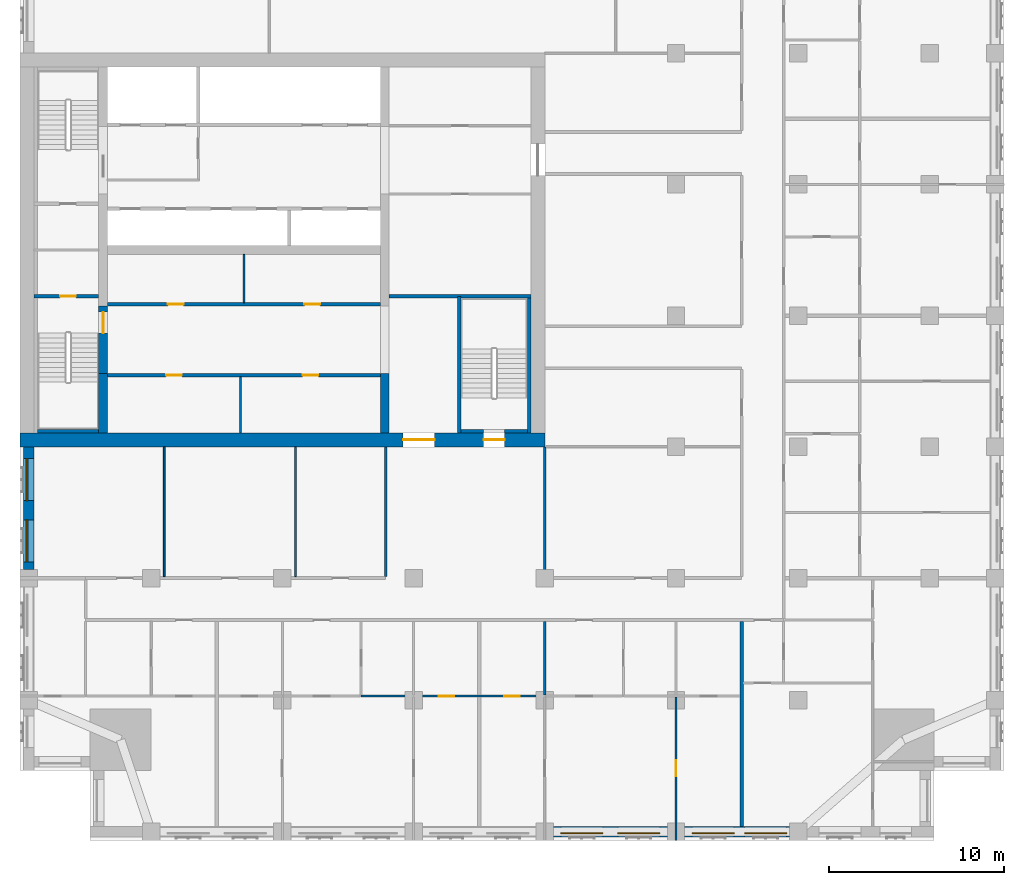
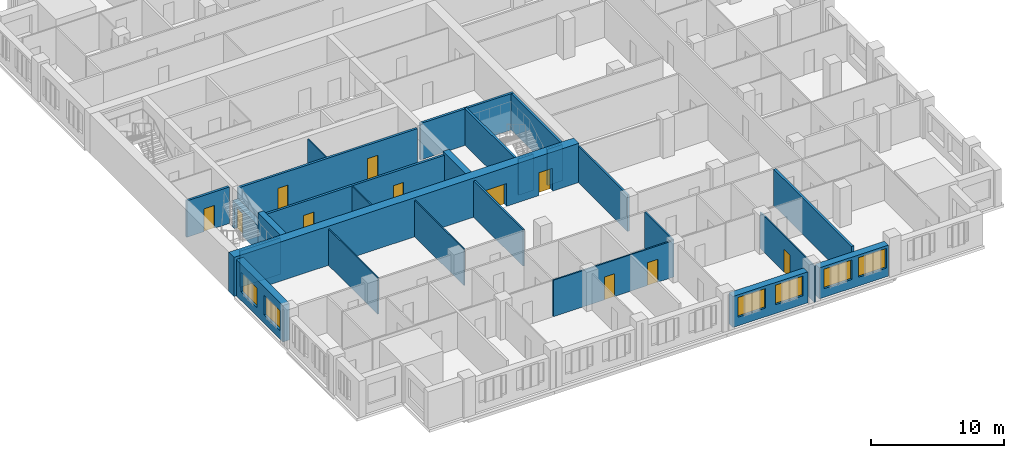
# One storey, part 5 of 13: 26 walls, 11 doors, 6 windows, 17 openings.
"""IFC4 building model written with IfcOpenShell, lengths in metres."""

from ifc_helpers import new_model, si_unit, direction, frame, frame_2d, origin, place, context, subcontext, project, spatial, rectangle, extrude, material, layer, layer_set, type_object, element, fill, save


model = new_model("IFC4")

# Units and contexts
model_context = context("Model", 3, precision=1e-05, world=origin(), true_north=direction((0.0, 1.0)))
body_context = subcontext(model_context, "Body", "Model", "MODEL_VIEW")
ifc_project = project(units=[si_unit("LENGTHUNIT", "METRE"), si_unit("AREAUNIT", "SQUARE_METRE"), si_unit("VOLUMEUNIT", "CUBIC_METRE"), si_unit("PLANEANGLEUNIT", "RADIAN"), si_unit("MASSUNIT", "GRAM", prefix="KILO")], contexts=[model_context])

# Site, building, storey
site_placement = place(None, origin())
site = spatial("IfcSite", under=ifc_project, at=site_placement, CompositionType="ELEMENT")
building_placement = place(site_placement, origin())
building = spatial("IfcBuilding", under=site, at=building_placement, Name="Tamorin Gate", CompositionType="ELEMENT")
storey_placement = place(building_placement, frame((0.0, 0.0, 130.199951171875)))
storey = spatial("IfcBuildingStorey", under=building, at=storey_placement, Name="L31", CompositionType="ELEMENT", Elevation=130.199951171875)

# Wall, openings, windows
ifc_material_1 = material(Name="Precast concrete C40/50", Category="concrete")
ifc_layer_1 = layer(ifc_material_1, 0.60009765625)
ifc_layer_set_1 = layer_set([ifc_layer_1], Name="Precast concrete C40/50")
wall_type_1 = type_object("IfcWallType", Name="Board-marked concrete facade panel 600", PredefinedType="SOLIDWALL", material=ifc_layer_set_1)
wall_1_placement = place(storey_placement, frame((60.5, 38.0, 0.0), z_axis=(0.0, 0.0, 1.0), x_axis=(1.0, 0.0, 0.0)))
wall_1 = element("IfcWall", 1, at=wall_1_placement, inside=storey, type_object=wall_type_1, Name="Facade panel", PredefinedType="SOLIDWALL", context=body_context, shape_type="SweptSolid", body=[
    extrude(rectangle(XDim=6.5, YDim=0.60009765625, at=frame_2d((3.25, 0.0))), origin(), (0.0, 0.0, 1.0), 2.85009765625),
])
opening_1_placement = place(wall_1_placement, frame((0.425048828125, 0.0, 0.800048828125)))
opening_1 = element("IfcOpeningElement", 2, at=opening_1_placement, cuts=wall_1, Name="Opening WN1", PredefinedType="OPENING", context=body_context, shape_type="SweptSolid", body=[
    extrude(rectangle(XDim=2.39990234375, YDim=1.800048828125, at=frame_2d((1.199951171875, 0.89990234375))), frame((0.0, 0.31005859375, 0.0), z_axis=(0.0, -1.0, 0.0), x_axis=(1.0, 0.0, 0.0)), (0.0, 0.0, 1.0), 0.6201171875),
])
opening_2_placement = place(wall_1_placement, frame((3.675048828125, 0.0, 0.800048828125)))
opening_2 = element("IfcOpeningElement", 3, at=opening_2_placement, cuts=wall_1, Name="Opening WN1", PredefinedType="OPENING", context=body_context, shape_type="SweptSolid", body=[
    extrude(rectangle(XDim=2.39990234375, YDim=1.800048828125, at=frame_2d((1.199951171875, 0.89990234375))), frame((0.0, 0.31005859375, 0.0), z_axis=(0.0, -1.0, 0.0), x_axis=(1.0, 0.0, 0.0)), (0.0, 0.0, 1.0), 0.6201171875),
])
ifc_material_2 = material(Name="Clear glass in aluminium frame", Category="aluminium")
window_type = type_object("IfcWindowType", Name="Deep-set window 2400x1800", PartitioningType="SINGLE_PANEL", PredefinedType="WINDOW", material=ifc_material_2)
window_1_placement = place(opening_1_placement, origin())
window_1 = element("IfcWindow", 4, at=window_1_placement, inside=storey, type_object=window_type, Name="Deep-set window", OverallHeight=1.800048828125, OverallWidth=2.39990234375, PartitioningType="SINGLE_PANEL", PredefinedType="WINDOW", context=body_context, shape_type="SweptSolid", body=[
    extrude(rectangle(XDim=2.39990234375, YDim=1.800048828125, at=frame_2d((1.199951171875, 0.89990234375))), frame((0.0, -0.070068359375, 0.0), z_axis=(0.0, -1.0, 0.0), x_axis=(1.0, 0.0, 0.0)), (0.0, 0.0, 1.0), 0.06005859375),
])
fill(opening_1, window_1)
window_2_placement = place(opening_2_placement, origin())
window_2 = element("IfcWindow", 5, at=window_2_placement, inside=storey, type_object=window_type, Name="Deep-set window", OverallHeight=1.800048828125, OverallWidth=2.39990234375, PartitioningType="SINGLE_PANEL", PredefinedType="WINDOW", context=body_context, shape_type="SweptSolid", body=[
    extrude(rectangle(XDim=2.39990234375, YDim=1.800048828125, at=frame_2d((1.199951171875, 0.89990234375))), frame((0.0, -0.070068359375, 0.0), z_axis=(0.0, -1.0, 0.0), x_axis=(1.0, 0.0, 0.0)), (0.0, 0.0, 1.0), 0.06005859375),
])
fill(opening_2, window_2)

wall_2_placement = place(storey_placement, frame((68.0, 38.0, 0.0), z_axis=(0.0, 0.0, 1.0), x_axis=(1.0, 0.0, 0.0)))
wall_2 = element("IfcWall", 6, at=wall_2_placement, inside=storey, type_object=wall_type_1, Name="Facade panel", PredefinedType="SOLIDWALL", context=body_context, shape_type="SweptSolid", body=[
    extrude(rectangle(XDim=6.0, YDim=0.60009765625, at=frame_2d((3.0, 0.0))), origin(), (0.0, 0.0, 1.0), 2.85009765625),
])
opening_3_placement = place(wall_2_placement, frame((0.425048828125, 0.0, 0.800048828125)))
opening_3 = element("IfcOpeningElement", 7, at=opening_3_placement, cuts=wall_2, Name="Opening WN1", PredefinedType="OPENING", context=body_context, shape_type="SweptSolid", body=[
    extrude(rectangle(XDim=2.39990234375, YDim=1.800048828125, at=frame_2d((1.199951171875, 0.89990234375))), frame((0.0, 0.31005859375, 0.0), z_axis=(0.0, -1.0, 0.0), x_axis=(1.0, 0.0, 0.0)), (0.0, 0.0, 1.0), 0.6201171875),
])
opening_4_placement = place(wall_2_placement, frame((3.425048828125, 0.0, 0.800048828125)))
opening_4 = element("IfcOpeningElement", 8, at=opening_4_placement, cuts=wall_2, Name="Opening WN1", PredefinedType="OPENING", context=body_context, shape_type="SweptSolid", body=[
    extrude(rectangle(XDim=2.39990234375, YDim=1.800048828125, at=frame_2d((1.199951171875, 0.89990234375))), frame((0.0, 0.31005859375, 0.0), z_axis=(0.0, -1.0, 0.0), x_axis=(1.0, 0.0, 0.0)), (0.0, 0.0, 1.0), 0.6201171875),
])
window_3_placement = place(opening_3_placement, origin())
window_3 = element("IfcWindow", 9, at=window_3_placement, inside=storey, type_object=window_type, Name="Deep-set window", OverallHeight=1.800048828125, OverallWidth=2.39990234375, PartitioningType="SINGLE_PANEL", PredefinedType="WINDOW", context=body_context, shape_type="SweptSolid", body=[
    extrude(rectangle(XDim=2.39990234375, YDim=1.800048828125, at=frame_2d((1.199951171875, 0.89990234375))), frame((0.0, -0.070068359375, 0.0), z_axis=(0.0, -1.0, 0.0), x_axis=(1.0, 0.0, 0.0)), (0.0, 0.0, 1.0), 0.06005859375),
])
fill(opening_3, window_3)
window_4_placement = place(opening_4_placement, origin())
window_4 = element("IfcWindow", 10, at=window_4_placement, inside=storey, type_object=window_type, Name="Deep-set window", OverallHeight=1.800048828125, OverallWidth=2.39990234375, PartitioningType="SINGLE_PANEL", PredefinedType="WINDOW", context=body_context, shape_type="SweptSolid", body=[
    extrude(rectangle(XDim=2.39990234375, YDim=1.800048828125, at=frame_2d((1.199951171875, 0.89990234375))), frame((0.0, -0.070068359375, 0.0), z_axis=(0.0, -1.0, 0.0), x_axis=(1.0, 0.0, 0.0)), (0.0, 0.0, 1.0), 0.06005859375),
])
fill(opening_4, window_4)

wall_3_placement = place(storey_placement, frame((30.5, 60.0, 0.0), z_axis=(0.0, 0.0, 1.0), x_axis=(0.0, -1.0, 0.0)))
wall_3 = element("IfcWall", 11, at=wall_3_placement, inside=storey, type_object=wall_type_1, Name="Facade panel", PredefinedType="SOLIDWALL", context=body_context, shape_type="SweptSolid", body=[
    extrude(rectangle(XDim=7.0, YDim=0.60009765625, at=frame_2d((3.5, 0.0))), origin(), (0.0, 0.0, 1.0), 3.35009765625),
])
opening_5_placement = place(wall_3_placement, frame((4.175048828125, 0.0, 0.800048828125)))
opening_5 = element("IfcOpeningElement", 12, at=opening_5_placement, cuts=wall_3, Name="Opening WN1", PredefinedType="OPENING", context=body_context, shape_type="SweptSolid", body=[
    extrude(rectangle(XDim=2.39990234375, YDim=1.800048828125, at=frame_2d((1.199951171875, 0.89990234375))), frame((0.0, 0.31005859375, 0.0), z_axis=(0.0, -1.0, 0.0), x_axis=(1.0, 0.0, 0.0)), (0.0, 0.0, 1.0), 0.6201171875),
])
opening_6_placement = place(wall_3_placement, frame((0.675048828125, 0.0, 0.800048828125)))
opening_6 = element("IfcOpeningElement", 13, at=opening_6_placement, cuts=wall_3, Name="Opening WN1", PredefinedType="OPENING", context=body_context, shape_type="SweptSolid", body=[
    extrude(rectangle(XDim=2.39990234375, YDim=1.800048828125, at=frame_2d((1.199951171875, 0.89990234375))), frame((0.0, 0.31005859375, 0.0), z_axis=(0.0, -1.0, 0.0), x_axis=(1.0, 0.0, 0.0)), (0.0, 0.0, 1.0), 0.6201171875),
])
window_5_placement = place(opening_5_placement, origin())
window_5 = element("IfcWindow", 14, at=window_5_placement, inside=storey, type_object=window_type, Name="Deep-set window", OverallHeight=1.800048828125, OverallWidth=2.39990234375, PartitioningType="SINGLE_PANEL", PredefinedType="WINDOW", context=body_context, shape_type="SweptSolid", body=[
    extrude(rectangle(XDim=2.39990234375, YDim=1.800048828125, at=frame_2d((1.199951171875, 0.89990234375))), frame((0.0, -0.070068359375, 0.0), z_axis=(0.0, -1.0, 0.0), x_axis=(1.0, 0.0, 0.0)), (0.0, 0.0, 1.0), 0.06005859375),
])
fill(opening_5, window_5)
window_6_placement = place(opening_6_placement, origin())
window_6 = element("IfcWindow", 15, at=window_6_placement, inside=storey, type_object=window_type, Name="Deep-set window", OverallHeight=1.800048828125, OverallWidth=2.39990234375, PartitioningType="SINGLE_PANEL", PredefinedType="WINDOW", context=body_context, shape_type="SweptSolid", body=[
    extrude(rectangle(XDim=2.39990234375, YDim=1.800048828125, at=frame_2d((1.199951171875, 0.89990234375))), frame((0.0, -0.070068359375, 0.0), z_axis=(0.0, -1.0, 0.0), x_axis=(1.0, 0.0, 0.0)), (0.0, 0.0, 1.0), 0.06005859375),
])
fill(opening_6, window_6)

# Walls
ifc_material_3 = material(Name="Gypsum board partition")
ifc_layer_2 = layer(ifc_material_3, 0.199951171875)
ifc_layer_set_2 = layer_set([ifc_layer_2], Name="Demising wall 200")
wall_type_2 = type_object("IfcWallType", Name="Demising wall 200", PredefinedType="PARTITIONING", material=ifc_layer_set_2)
wall_4_placement = place(storey_placement, frame((71.25, 38.31005859375, 0.0), z_axis=(0.0, 0.0, 1.0), x_axis=(0.0, 1.0, 0.0)))
element("IfcWall", 16, at=wall_4_placement, inside=storey, type_object=wall_type_2, Name="Demising wall 200", PredefinedType="PARTITIONING", context=body_context, shape_type="SweptSolid", body=[
    extrude(rectangle(XDim=11.71484375, YDim=0.199951171875, at=frame_2d((5.857421875, 0.0))), origin(), (0.0, 0.0, 1.0), 3.35009765625),
])
ifc_layer_3 = layer(ifc_material_3, 0.14990234375)
ifc_layer_set_3 = layer_set([ifc_layer_3], Name="Lobby wall 150")
wall_type_3 = type_object("IfcWallType", Name="Lobby wall 150", PredefinedType="PARTITIONING", material=ifc_layer_set_3)
for number, where, z_axis, x_axis, name in (
    (17, (50.89990234375, 52.574951171875, 0.0), (0.0, 0.0, 1.0), (0.0, 1.0, 0.0), "Lobby wall 150"),
    (18, (60.0, 52.574951171875, 0.0), (0.0, 0.0, 1.0), (0.0, 1.0, 0.0), "Lobby wall 150"),
):
    element("IfcWall", number, at=place(storey_placement, frame(where, z_axis=z_axis, x_axis=x_axis)), inside=storey, type_object=wall_type_3, Name=name, PredefinedType="PARTITIONING", context=body_context, shape_type="SweptSolid", body=[
        extrude(rectangle(XDim=7.425048828125, YDim=0.14990234375, at=frame_2d((3.71240234375, 0.0))), origin(), (0.0, 0.0, 1.0), 3.35009765625),
    ])
ifc_material_4 = material(Name="Concrete C60/75", Category="concrete")
ifc_layer_4 = layer(ifc_material_4, 0.5)
ifc_layer_set_4 = layer_set([ifc_layer_4], Name="RC core internal wall 500 C60/75")
wall_type_4 = type_object("IfcWallType", Name="RC core internal wall 500 C60/75", PredefinedType="SHEAR", material=ifc_layer_set_4)
for number, where, z_axis, x_axis, name in (
    (19, (34.75, 60.800048828125, 0.0), (0.0, 0.0, 1.0), (0.0, 1.0, 0.0), "Core cross wall L31"),
    (20, (50.85009765625, 60.800048828125, 0.0), (0.0, 0.0, 1.0), (0.0, 1.0, 0.0), "Core cross wall L31"),
):
    element("IfcWall", number, at=place(storey_placement, frame(where, z_axis=z_axis, x_axis=x_axis)), inside=storey, type_object=wall_type_4, Name=name, PredefinedType="SHEAR", context=body_context, shape_type="SweptSolid", body=[
        extrude(rectangle(XDim=3.39990234375, YDim=0.5, at=frame_2d((1.699951171875, 0.0))), origin(), (0.0, 0.0, 1.0), 3.60009765625),
    ])

# Wall, openings, doors
ifc_layer_5 = layer(ifc_material_4, 0.800048828125)
ifc_layer_set_5 = layer_set([ifc_layer_5], Name="RC core wall 800 C60/75")
wall_type_5 = type_object("IfcWallType", Name="RC core wall 800 C60/75", PredefinedType="SHEAR", material=ifc_layer_set_5)
wall_5_placement = place(storey_placement, frame((30.0, 60.39990234375, 0.0), z_axis=(0.0, 0.0, 1.0), x_axis=(1.0, 0.0, 0.0)))
wall_5 = element("IfcWall", 21, at=wall_5_placement, inside=storey, type_object=wall_type_5, Name="Core wall L31", PredefinedType="SHEAR", context=body_context, shape_type="SweptSolid", body=[
    extrude(rectangle(XDim=30.0, YDim=0.800048828125, at=frame_2d((15.0, 0.0))), origin(), (0.0, 0.0, 1.0), 3.60009765625),
])
opening_7_placement = place(wall_5_placement, frame((21.89990234375, 0.0, 0.0)))
opening_7 = element("IfcOpeningElement", 22, at=opening_7_placement, cuts=wall_5, Name="Opening DE1", PredefinedType="OPENING", context=body_context, shape_type="SweptSolid", body=[
    extrude(rectangle(XDim=1.800048828125, YDim=2.10009765625, at=frame_2d((0.89990234375, 1.050048828125))), frame((0.0, 0.409912109375, 0.0), z_axis=(0.0, -1.0, 0.0), x_axis=(1.0, 0.0, 0.0)), (0.0, 0.0, 1.0), 0.820068359375),
])
opening_8_placement = place(wall_5_placement, frame((26.5, 0.0, 0.0)))
opening_8 = element("IfcOpeningElement", 23, at=opening_8_placement, cuts=wall_5, Name="Opening DS1", PredefinedType="OPENING", context=body_context, shape_type="SweptSolid", body=[
    extrude(rectangle(XDim=1.199951171875, YDim=2.10009765625, at=frame_2d((0.60009765625, 1.050048828125))), frame((0.0, 0.409912109375, 0.0), z_axis=(0.0, -1.0, 0.0), x_axis=(1.0, 0.0, 0.0)), (0.0, 0.0, 1.0), 0.820068359375),
])
ifc_material_5 = material(Name="Steel fire door", Category="steel")
door_type_1 = type_object("IfcDoorType", Name="Lobby exit double door 1800 x 2100 EI 60", OperationType="DOUBLE_DOOR_SINGLE_SWING", PredefinedType="DOOR", material=ifc_material_5)
door_1_placement = place(opening_7_placement, origin())
door_1 = element("IfcDoor", 24, at=door_1_placement, inside=storey, type_object=door_type_1, Name="Lift lobby A exit door", OperationType="DOUBLE_DOOR_SINGLE_SWING", OverallHeight=2.10009765625, OverallWidth=1.800048828125, PredefinedType="DOOR", context=body_context, shape_type="SweptSolid", body=[
    extrude(rectangle(XDim=1.800048828125, YDim=2.10009765625, at=frame_2d((0.89990234375, 1.050048828125))), frame((0.0, 0.02490234375, 0.0), z_axis=(0.0, -1.0, 0.0), x_axis=(1.0, 0.0, 0.0)), (0.0, 0.0, 1.0), 0.050048828125),
])
fill(opening_7, door_1)
door_type_2 = type_object("IfcDoorType", Name="Stair door 1200 x 2100 EI 90", OperationType="SINGLE_SWING_LEFT", PredefinedType="DOOR", material=ifc_material_5)
door_2_placement = place(opening_8_placement, origin())
door_2 = element("IfcDoor", 25, at=door_2_placement, inside=storey, type_object=door_type_2, Name="ST3 door", OperationType="SINGLE_SWING_LEFT", OverallHeight=2.10009765625, OverallWidth=1.199951171875, PredefinedType="DOOR", context=body_context, shape_type="SweptSolid", body=[
    extrude(rectangle(XDim=1.199951171875, YDim=2.10009765625, at=frame_2d((0.60009765625, 1.050048828125))), frame((0.0, 0.02490234375, 0.0), z_axis=(0.0, -1.0, 0.0), x_axis=(1.0, 0.0, 0.0)), (0.0, 0.0, 1.0), 0.050048828125),
])
fill(opening_8, door_2)

# Walls
ifc_layer_6 = layer(ifc_material_3, 0.10009765625)
ifc_layer_set_6 = layer_set([ifc_layer_6], Name="Room partition 100")
wall_type_6 = type_object("IfcWallType", Name="Room partition 100", PredefinedType="PARTITIONING", material=ifc_layer_set_6)
for number, where, z_axis, x_axis, name in (
    (26, (38.25, 52.574951171875, 0.0), (0.0, 0.0, 1.0), (0.0, 1.0, 0.0), "Room partition 100"),
    (27, (45.75, 52.574951171875, 0.0), (0.0, 0.0, 1.0), (0.0, 1.0, 0.0), "Room partition 100"),
):
    element("IfcWall", number, at=place(storey_placement, frame(where, z_axis=z_axis, x_axis=x_axis)), inside=storey, type_object=wall_type_6, Name=name, PredefinedType="PARTITIONING", context=body_context, shape_type="SweptSolid", body=[
        extrude(rectangle(XDim=7.425048828125, YDim=0.10009765625, at=frame_2d((3.71240234375, 0.0))), origin(), (0.0, 0.0, 1.0), 3.35009765625),
    ])

# Wall, opening, door
wall_6_placement = place(storey_placement, frame((67.5, 37.5, 0.0), z_axis=(0.0, 0.0, 1.0), x_axis=(0.0, 1.0, 0.0)))
wall_6 = element("IfcWall", 28, at=wall_6_placement, inside=storey, type_object=wall_type_6, Name="Room partition 100", PredefinedType="PARTITIONING", context=body_context, shape_type="SweptSolid", body=[
    extrude(rectangle(XDim=8.1875, YDim=0.10009765625, at=frame_2d((4.09375, 0.0))), origin(), (0.0, 0.0, 1.0), 3.35009765625),
])
opening_9_placement = place(wall_6_placement, frame((3.675048828125, 0.0, 0.0)))
opening_9 = element("IfcOpeningElement", 29, at=opening_9_placement, cuts=wall_6, Name="Opening DS1018", PredefinedType="OPENING", context=body_context, shape_type="SweptSolid", body=[
    extrude(rectangle(XDim=0.89990234375, YDim=2.10009765625, at=frame_2d((0.449951171875, 1.050048828125))), frame((0.0, 0.06005859375, 0.0), z_axis=(0.0, -1.0, 0.0), x_axis=(1.0, 0.0, 0.0)), (0.0, 0.0, 1.0), 0.1201171875),
])
ifc_material_6 = material(Name="Timber door leaf", Category="wood")
door_type_3 = type_object("IfcDoorType", Name="Door 900 x 2100", OperationType="NOTDEFINED", PredefinedType="DOOR", material=ifc_material_6)
door_3_placement = place(opening_9_placement, origin())
door_3 = element("IfcDoor", 30, at=door_3_placement, inside=storey, type_object=door_type_3, Name="Door DS1018", OperationType="SINGLE_SWING_LEFT", OverallHeight=2.10009765625, OverallWidth=0.89990234375, PredefinedType="DOOR", context=body_context, shape_type="SweptSolid", body=[
    extrude(rectangle(XDim=0.89990234375, YDim=2.10009765625, at=frame_2d((0.449951171875, 1.050048828125))), frame((0.0, 0.02490234375, 0.0), z_axis=(0.0, -1.0, 0.0), x_axis=(1.0, 0.0, 0.0)), (0.0, 0.0, 1.0), 0.050048828125),
])
fill(opening_9, door_3)

# Wall, openings, doors
ifc_layer_7 = layer(ifc_material_3, 0.199951171875)
ifc_layer_set_7 = layer_set([ifc_layer_7], Name="Service room face wall 200 EI 60")
wall_type_7 = type_object("IfcWallType", Name="Service room face wall 200 EI 60", PredefinedType="PARTITIONING", material=ifc_layer_set_7)
wall_7_placement = place(storey_placement, frame((35.0, 64.10009765625, 0.0), z_axis=(0.0, 0.0, 1.0), x_axis=(1.0, 0.0, 0.0)))
wall_7 = element("IfcWall", 31, at=wall_7_placement, inside=storey, type_object=wall_type_7, Name="Service room face wall", PredefinedType="PARTITIONING", context=body_context, shape_type="SweptSolid", body=[
    extrude(rectangle(XDim=15.60009765625, YDim=0.199951171875, at=frame_2d((7.800048828125, 0.0))), origin(), (0.0, 0.0, 1.0), 3.35009765625),
])
opening_10_placement = place(wall_7_placement, frame((3.35009765625, 0.0, 0.0)))
opening_10 = element("IfcOpeningElement", 32, at=opening_10_placement, cuts=wall_7, Name="Opening DK1", PredefinedType="OPENING", context=body_context, shape_type="SweptSolid", body=[
    extrude(rectangle(XDim=0.89990234375, YDim=2.10009765625, at=frame_2d((0.449951171875, 1.050048828125))), frame((0.0, 0.10986328125, 0.0), z_axis=(0.0, -1.0, 0.0), x_axis=(1.0, 0.0, 0.0)), (0.0, 0.0, 1.0), 0.219970703125),
])
opening_11_placement = place(wall_7_placement, frame((11.14990234375, 0.0, 0.0)))
opening_11 = element("IfcOpeningElement", 33, at=opening_11_placement, cuts=wall_7, Name="Opening DK1", PredefinedType="OPENING", context=body_context, shape_type="SweptSolid", body=[
    extrude(rectangle(XDim=0.89990234375, YDim=2.10009765625, at=frame_2d((0.449951171875, 1.050048828125))), frame((0.0, 0.10986328125, 0.0), z_axis=(0.0, -1.0, 0.0), x_axis=(1.0, 0.0, 0.0)), (0.0, 0.0, 1.0), 0.219970703125),
])
ifc_material_7 = material(Name="Timber fire door", Category="wood")
door_type_4 = type_object("IfcDoorType", Name="Service room door 900 x 2100 EI 60", OperationType="SINGLE_SWING_LEFT", PredefinedType="DOOR", material=ifc_material_7)
door_4_placement = place(opening_10_placement, origin())
door_4 = element("IfcDoor", 34, at=door_4_placement, inside=storey, type_object=door_type_4, Name="Door Pantry", OperationType="SINGLE_SWING_LEFT", OverallHeight=2.10009765625, OverallWidth=0.89990234375, PredefinedType="DOOR", context=body_context, shape_type="SweptSolid", body=[
    extrude(rectangle(XDim=0.89990234375, YDim=2.10009765625, at=frame_2d((0.449951171875, 1.050048828125))), frame((0.0, 0.02490234375, 0.0), z_axis=(0.0, -1.0, 0.0), x_axis=(1.0, 0.0, 0.0)), (0.0, 0.0, 1.0), 0.050048828125),
])
fill(opening_10, door_4)
door_5_placement = place(opening_11_placement, origin())
door_5 = element("IfcDoor", 35, at=door_5_placement, inside=storey, type_object=door_type_4, Name="Door Linen store", OperationType="SINGLE_SWING_RIGHT", OverallHeight=2.10009765625, OverallWidth=0.89990234375, PredefinedType="DOOR", context=body_context, shape_type="SweptSolid", body=[
    extrude(rectangle(XDim=0.89990234375, YDim=2.10009765625, at=frame_2d((0.449951171875, 1.050048828125))), frame((0.0, 0.02490234375, 0.0), z_axis=(0.0, -1.0, 0.0), x_axis=(1.0, 0.0, 0.0)), (0.0, 0.0, 1.0), 0.050048828125),
])
fill(opening_11, door_5)

wall_8_placement = place(storey_placement, frame((35.0, 68.14990234375, 0.0), z_axis=(0.0, 0.0, 1.0), x_axis=(1.0, 0.0, 0.0)))
wall_8 = element("IfcWall", 36, at=wall_8_placement, inside=storey, type_object=wall_type_7, Name="Service room face wall", PredefinedType="PARTITIONING", context=body_context, shape_type="SweptSolid", body=[
    extrude(rectangle(XDim=15.60009765625, YDim=0.199951171875, at=frame_2d((7.800048828125, 0.0))), origin(), (0.0, 0.0, 1.0), 3.35009765625),
])
opening_12_placement = place(wall_8_placement, frame((3.449951171875, 0.0, 0.0)))
opening_12 = element("IfcOpeningElement", 37, at=opening_12_placement, cuts=wall_8, Name="Opening DK1", PredefinedType="OPENING", context=body_context, shape_type="SweptSolid", body=[
    extrude(rectangle(XDim=0.89990234375, YDim=2.10009765625, at=frame_2d((0.449951171875, 1.050048828125))), frame((0.0, 0.10986328125, 0.0), z_axis=(0.0, -1.0, 0.0), x_axis=(1.0, 0.0, 0.0)), (0.0, 0.0, 1.0), 0.219970703125),
])
opening_13_placement = place(wall_8_placement, frame((11.25, 0.0, 0.0)))
opening_13 = element("IfcOpeningElement", 38, at=opening_13_placement, cuts=wall_8, Name="Opening DK1", PredefinedType="OPENING", context=body_context, shape_type="SweptSolid", body=[
    extrude(rectangle(XDim=0.89990234375, YDim=2.10009765625, at=frame_2d((0.449951171875, 1.050048828125))), frame((0.0, 0.10986328125, 0.0), z_axis=(0.0, -1.0, 0.0), x_axis=(1.0, 0.0, 0.0)), (0.0, 0.0, 1.0), 0.219970703125),
])
door_6_placement = place(opening_12_placement, origin())
door_6 = element("IfcDoor", 39, at=door_6_placement, inside=storey, type_object=door_type_4, Name="Door Housekeeping store", OperationType="SINGLE_SWING_LEFT", OverallHeight=2.10009765625, OverallWidth=0.89990234375, PredefinedType="DOOR", context=body_context, shape_type="SweptSolid", body=[
    extrude(rectangle(XDim=0.89990234375, YDim=2.10009765625, at=frame_2d((0.449951171875, 1.050048828125))), frame((0.0, 0.02490234375, 0.0), z_axis=(0.0, -1.0, 0.0), x_axis=(1.0, 0.0, 0.0)), (0.0, 0.0, 1.0), 0.050048828125),
])
fill(opening_12, door_6)
door_7_placement = place(opening_13_placement, origin())
door_7 = element("IfcDoor", 40, at=door_7_placement, inside=storey, type_object=door_type_4, Name="Door IT room", OperationType="SINGLE_SWING_RIGHT", OverallHeight=2.10009765625, OverallWidth=0.89990234375, PredefinedType="DOOR", context=body_context, shape_type="SweptSolid", body=[
    extrude(rectangle(XDim=0.89990234375, YDim=2.10009765625, at=frame_2d((0.449951171875, 1.050048828125))), frame((0.0, 0.02490234375, 0.0), z_axis=(0.0, -1.0, 0.0), x_axis=(1.0, 0.0, 0.0)), (0.0, 0.0, 1.0), 0.050048828125),
])
fill(opening_13, door_7)

# Walls
ifc_layer_8 = layer(ifc_material_3, 0.10009765625)
ifc_layer_set_8 = layer_set([ifc_layer_8], Name="Service room partition 100 EI 60")
wall_type_8 = type_object("IfcWallType", Name="Service room partition 100 EI 60", PredefinedType="PARTITIONING", material=ifc_layer_set_8)
wall_9_placement = place(storey_placement, frame((42.60009765625, 60.800048828125, 0.0), z_axis=(0.0, 0.0, 1.0), x_axis=(0.0, 1.0, 0.0)))
element("IfcWall", 41, at=wall_9_placement, inside=storey, type_object=wall_type_8, Name="Service room partition", PredefinedType="PARTITIONING", context=body_context, shape_type="SweptSolid", body=[
    extrude(rectangle(XDim=3.199951171875, YDim=0.10009765625, at=frame_2d((1.60009765625, 0.0))), origin(), (0.0, 0.0, 1.0), 3.35009765625),
])
wall_10_placement = place(storey_placement, frame((42.800048828125, 68.25, 0.0), z_axis=(0.0, 0.0, 1.0), x_axis=(0.0, 1.0, 0.0)))
element("IfcWall", 42, at=wall_10_placement, inside=storey, type_object=wall_type_8, Name="Service room partition", PredefinedType="PARTITIONING", context=body_context, shape_type="SweptSolid", body=[
    extrude(rectangle(XDim=2.75, YDim=0.10009765625, at=frame_2d((1.375, 0.0))), origin(), (0.0, 0.0, 1.0), 3.35009765625),
])

# Wall, opening, door
ifc_material_8 = material(Name="Concrete C40/50", Category="concrete")
ifc_layer_9 = layer(ifc_material_8, 0.199951171875)
ifc_layer_set_9 = layer_set([ifc_layer_9], Name="Stair enclosure wall 200 EI 120 C40/50")
wall_type_9 = type_object("IfcWallType", Name="Stair enclosure wall 200 EI 120 C40/50", PredefinedType="SOLIDWALL", material=ifc_layer_set_9)
wall_11_placement = place(storey_placement, frame((30.800048828125, 68.60009765625, 0.0), z_axis=(0.0, 0.0, 1.0), x_axis=(1.0, 0.0, 0.0)))
wall_11 = element("IfcWall", 43, at=wall_11_placement, inside=storey, type_object=wall_type_9, Name="Stair enclosure wall", PredefinedType="SOLIDWALL", context=body_context, shape_type="SweptSolid", body=[
    extrude(rectangle(XDim=3.699951171875, YDim=0.199951171875, at=frame_2d((1.85009765625, 0.0))), origin(), (0.0, 0.0, 1.0), 3.35009765625),
])
opening_14_placement = place(wall_11_placement, frame((1.5, 0.0, 0.0)))
opening_14 = element("IfcOpeningElement", 44, at=opening_14_placement, cuts=wall_11, Name="Opening DR1", PredefinedType="OPENING", context=body_context, shape_type="SweptSolid", body=[
    extrude(rectangle(XDim=0.89990234375, YDim=2.10009765625, at=frame_2d((0.449951171875, 1.050048828125))), frame((0.0, 0.10986328125, 0.0), z_axis=(0.0, -1.0, 0.0), x_axis=(1.0, 0.0, 0.0)), (0.0, 0.0, 1.0), 0.219970703125),
])
door_type_5 = type_object("IfcDoorType", Name="Riser access door 900 x 2100 EI 120", OperationType="SINGLE_SWING_LEFT", PredefinedType="DOOR", material=ifc_material_5)
door_8_placement = place(opening_14_placement, origin())
door_8 = element("IfcDoor", 45, at=door_8_placement, inside=storey, type_object=door_type_5, Name="Electrical riser door", OperationType="SINGLE_SWING_LEFT", OverallHeight=2.10009765625, OverallWidth=0.89990234375, PredefinedType="DOOR", context=body_context, shape_type="SweptSolid", body=[
    extrude(rectangle(XDim=0.89990234375, YDim=2.10009765625, at=frame_2d((0.449951171875, 1.050048828125))), frame((0.0, 0.02490234375, 0.0), z_axis=(0.0, -1.0, 0.0), x_axis=(1.0, 0.0, 0.0)), (0.0, 0.0, 1.0), 0.050048828125),
])
fill(opening_14, door_8)

# Walls
wall_12_placement = place(storey_placement, frame((55.10009765625, 60.800048828125, 0.0), z_axis=(0.0, 0.0, 1.0), x_axis=(0.0, 1.0, 0.0)))
element("IfcWall", 46, at=wall_12_placement, inside=storey, type_object=wall_type_9, Name="Stair enclosure wall", PredefinedType="SOLIDWALL", context=body_context, shape_type="SweptSolid", body=[
    extrude(rectangle(XDim=7.800048828125, YDim=0.199951171875, at=frame_2d((3.89990234375, 0.0))), origin(), (0.0, 0.0, 1.0), 3.35009765625),
])
wall_13_placement = place(storey_placement, frame((51.10009765625, 68.60009765625, 0.0), z_axis=(0.0, 0.0, 1.0), x_axis=(1.0, 0.0, 0.0)))
element("IfcWall", 47, at=wall_13_placement, inside=storey, type_object=wall_type_9, Name="Stair enclosure wall", PredefinedType="SOLIDWALL", context=body_context, shape_type="SweptSolid", body=[
    extrude(rectangle(XDim=8.099853515625, YDim=0.199951171875, at=frame_2d((4.0498046875, 0.0))), origin(), (0.0, 0.0, 1.0), 3.35009765625),
])
ifc_layer_10 = layer(ifc_material_4, 0.199951171875)
ifc_layer_set_10 = layer_set([ifc_layer_10], Name="Stair lining wall 200 EI 120 C60/75")
wall_type_10 = type_object("IfcWallType", Name="Stair lining wall 200 EI 120 C60/75", PredefinedType="SOLIDWALL", material=ifc_layer_set_10)
wall_14_placement = place(storey_placement, frame((31.0, 60.89990234375, 0.0), z_axis=(0.0, 0.0, 1.0), x_axis=(1.0, 0.0, 0.0)))
element("IfcWall", 48, at=wall_14_placement, inside=storey, type_object=wall_type_10, Name="Stair lining wall", PredefinedType="SOLIDWALL", context=body_context, shape_type="SweptSolid", body=[
    extrude(rectangle(XDim=3.5, YDim=0.199951171875, at=frame_2d((1.75, 0.0))), origin(), (0.0, 0.0, 1.0), 3.35009765625),
])
for number, where, z_axis, x_axis, name in (
    (49, (55.199951171875, 60.89990234375, 0.0), (0.0, 0.0, 1.0), (1.0, 0.0, 0.0), "Stair lining wall"),
    (50, (57.699951171875, 60.89990234375, 0.0), (0.0, 0.0, 1.0), (1.0, 0.0, 0.0), "Stair lining wall"),
):
    element("IfcWall", number, at=place(storey_placement, frame(where, z_axis=z_axis, x_axis=x_axis)), inside=storey, type_object=wall_type_10, Name=name, PredefinedType="SOLIDWALL", context=body_context, shape_type="SweptSolid", body=[
        extrude(rectangle(XDim=1.300048828125, YDim=0.199951171875, at=frame_2d((0.64990234375, 0.0))), origin(), (0.0, 0.0, 1.0), 3.35009765625),
    ])
wall_15_placement = place(storey_placement, frame((59.10009765625, 60.800048828125, 0.0), z_axis=(0.0, 0.0, 1.0), x_axis=(0.0, 1.0, 0.0)))
element("IfcWall", 51, at=wall_15_placement, inside=storey, type_object=wall_type_10, Name="Stair lining wall", PredefinedType="SOLIDWALL", context=body_context, shape_type="SweptSolid", body=[
    extrude(rectangle(XDim=7.699951171875, YDim=0.199951171875, at=frame_2d((3.85009765625, 0.0))), origin(), (0.0, 0.0, 1.0), 3.35009765625),
])

# Wall, opening, door
ifc_material_9 = material(Name="Concrete C32/40", Category="concrete")
ifc_layer_11 = layer(ifc_material_9, 0.5)
ifc_layer_set_11 = layer_set([ifc_layer_11], Name="Stair lobby infill wall 500 EI 120")
wall_type_11 = type_object("IfcWallType", Name="Stair lobby infill wall 500 EI 120", PredefinedType="SOLIDWALL", material=ifc_layer_set_11)
wall_16_placement = place(storey_placement, frame((34.75, 64.199951171875, 0.0), z_axis=(0.0, 0.0, 1.0), x_axis=(0.0, 1.0, 0.0)))
wall_16 = element("IfcWall", 52, at=wall_16_placement, inside=storey, type_object=wall_type_11, Name="Stair lobby infill wall", PredefinedType="SOLIDWALL", context=body_context, shape_type="SweptSolid", body=[
    extrude(rectangle(XDim=3.85009765625, YDim=0.5, at=frame_2d((1.925048828125, 0.0))), origin(), (0.0, 0.0, 1.0), 2.400146484375),
])
opening_15_placement = place(wall_16_placement, frame((2.300048828125, 0.0, 0.0)))
opening_15 = element("IfcOpeningElement", 53, at=opening_15_placement, cuts=wall_16, Name="Opening DS1", PredefinedType="OPENING", context=body_context, shape_type="SweptSolid", body=[
    extrude(rectangle(XDim=1.199951171875, YDim=2.10009765625, at=frame_2d((0.60009765625, 1.050048828125))), frame((0.0, 0.260009765625, 0.0), z_axis=(0.0, -1.0, 0.0), x_axis=(1.0, 0.0, 0.0)), (0.0, 0.0, 1.0), 0.52001953125),
])
door_9_placement = place(opening_15_placement, origin())
door_9 = element("IfcDoor", 54, at=door_9_placement, inside=storey, type_object=door_type_2, Name="ST1 door", OperationType="SINGLE_SWING_LEFT", OverallHeight=2.10009765625, OverallWidth=1.199951171875, PredefinedType="DOOR", context=body_context, shape_type="SweptSolid", body=[
    extrude(rectangle(XDim=1.199951171875, YDim=2.10009765625, at=frame_2d((0.60009765625, 1.050048828125))), frame((0.0, 0.02490234375, 0.0), z_axis=(0.0, -1.0, 0.0), x_axis=(1.0, 0.0, 0.0)), (0.0, 0.0, 1.0), 0.050048828125),
])
fill(opening_15, door_9)

# Wall, openings, doors
ifc_layer_12 = layer(ifc_material_3, 0.125)
ifc_layer_set_12 = layer_set([ifc_layer_12], Name="Wet wall 125")
wall_type_12 = type_object("IfcWallType", Name="Wet wall 125", PredefinedType="PARTITIONING", material=ifc_layer_set_12)
wall_17_placement = place(storey_placement, frame((49.5, 45.75, 0.0), z_axis=(0.0, 0.0, 1.0), x_axis=(1.0, 0.0, 0.0)))
wall_17 = element("IfcWall", 55, at=wall_17_placement, inside=storey, type_object=wall_type_12, Name="Wet wall 125", PredefinedType="PARTITIONING", context=body_context, shape_type="SweptSolid", body=[
    extrude(rectangle(XDim=10.5, YDim=0.125, at=frame_2d((5.25, 0.0))), origin(), (0.0, 0.0, 1.0), 3.35009765625),
])
opening_16_placement = place(wall_17_placement, frame((4.425048828125, 0.0, 0.0)))
opening_16 = element("IfcOpeningElement", 56, at=opening_16_placement, cuts=wall_17, Name="Opening DS1009", PredefinedType="OPENING", context=body_context, shape_type="SweptSolid", body=[
    extrude(rectangle(XDim=0.89990234375, YDim=2.10009765625, at=frame_2d((0.449951171875, 1.050048828125))), frame((0.0, 0.072509765625, 0.0), z_axis=(0.0, -1.0, 0.0), x_axis=(1.0, 0.0, 0.0)), (0.0, 0.0, 1.0), 0.14501953125),
])
opening_17_placement = place(wall_17_placement, frame((8.175048828125, 0.0, 0.0)))
opening_17 = element("IfcOpeningElement", 57, at=opening_17_placement, cuts=wall_17, Name="Opening DS1012", PredefinedType="OPENING", context=body_context, shape_type="SweptSolid", body=[
    extrude(rectangle(XDim=0.89990234375, YDim=2.10009765625, at=frame_2d((0.449951171875, 1.050048828125))), frame((0.0, 0.072509765625, 0.0), z_axis=(0.0, -1.0, 0.0), x_axis=(1.0, 0.0, 0.0)), (0.0, 0.0, 1.0), 0.14501953125),
])
door_10_placement = place(opening_16_placement, origin())
door_10 = element("IfcDoor", 58, at=door_10_placement, inside=storey, type_object=door_type_3, Name="Door DS1009", OperationType="SINGLE_SWING_LEFT", OverallHeight=2.10009765625, OverallWidth=0.89990234375, PredefinedType="DOOR", context=body_context, shape_type="SweptSolid", body=[
    extrude(rectangle(XDim=0.89990234375, YDim=2.10009765625, at=frame_2d((0.449951171875, 1.050048828125))), frame((0.0, 0.02490234375, 0.0), z_axis=(0.0, -1.0, 0.0), x_axis=(1.0, 0.0, 0.0)), (0.0, 0.0, 1.0), 0.050048828125),
])
fill(opening_16, door_10)
door_11_placement = place(opening_17_placement, origin())
door_11 = element("IfcDoor", 59, at=door_11_placement, inside=storey, type_object=door_type_3, Name="Door DS1012", OperationType="SINGLE_SWING_LEFT", OverallHeight=2.10009765625, OverallWidth=0.89990234375, PredefinedType="DOOR", context=body_context, shape_type="SweptSolid", body=[
    extrude(rectangle(XDim=0.89990234375, YDim=2.10009765625, at=frame_2d((0.449951171875, 1.050048828125))), frame((0.0, 0.02490234375, 0.0), z_axis=(0.0, -1.0, 0.0), x_axis=(1.0, 0.0, 0.0)), (0.0, 0.0, 1.0), 0.050048828125),
])
fill(opening_17, door_11)

# Wall
wall_18_placement = place(storey_placement, frame((60.0, 45.8125, 0.0), z_axis=(0.0, 0.0, 1.0), x_axis=(0.0, 1.0, 0.0)))
element("IfcWall", 60, at=wall_18_placement, inside=storey, type_object=wall_type_12, Name="Wet wall 125", PredefinedType="PARTITIONING", context=body_context, shape_type="SweptSolid", body=[
    extrude(rectangle(XDim=4.21240234375, YDim=0.125, at=frame_2d((2.106201171875, 0.0))), origin(), (0.0, 0.0, 1.0), 3.35009765625),
])

save(model, "model.ifc")
